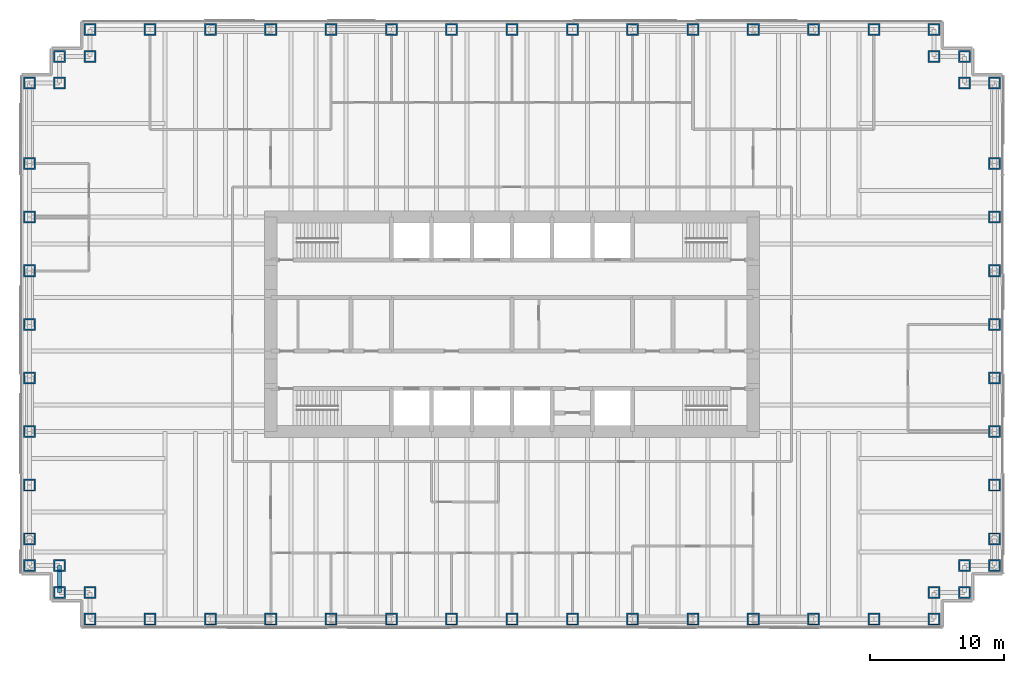
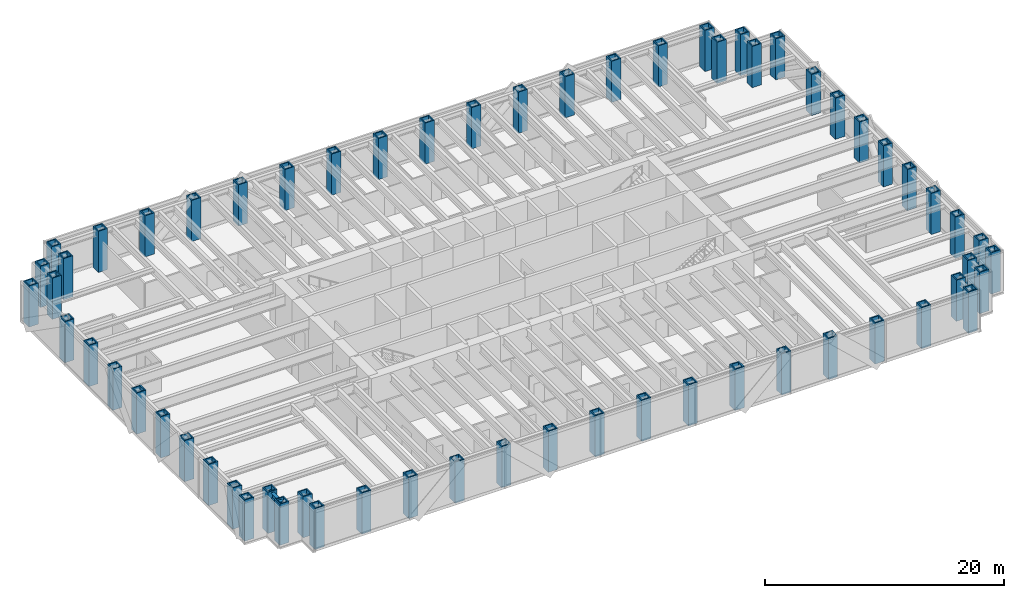
# One storey, part 1 of 15: 62 columns, 1 beam.
"""IFC4 building model written with IfcOpenShell, lengths in metres."""

from ifc_helpers import new_model, si_unit, direction, frame, origin, origin_2d, place, context, subcontext, project, spatial, hollow_rectangle, i_section, extrude, material, material_profile, profile_set, type_object, element, save


model = new_model("IFC4")

# Units and contexts
model_context = context("Model", 3, precision=1e-05, world=origin(), true_north=direction((0.0, 1.0)))
body_context = subcontext(model_context, "Body", "Model", "MODEL_VIEW")
ifc_project = project(units=[si_unit("LENGTHUNIT", "METRE"), si_unit("AREAUNIT", "SQUARE_METRE"), si_unit("VOLUMEUNIT", "CUBIC_METRE"), si_unit("PLANEANGLEUNIT", "RADIAN"), si_unit("MASSUNIT", "GRAM", prefix="KILO")], contexts=[model_context])

# Site, building, storey
site_placement = place(None, origin())
site = spatial("IfcSite", under=ifc_project, at=site_placement, CompositionType="ELEMENT")
building_placement = place(site_placement, origin())
building = spatial("IfcBuilding", under=site, at=building_placement, Name="Rheinbord Bourse Tower", CompositionType="ELEMENT")
storey_placement = place(building_placement, frame((0.0, 0.0, 104.699951171875)))
storey = spatial("IfcBuildingStorey", under=building, at=storey_placement, Name="L22", CompositionType="ELEMENT", Elevation=104.699951171875)

# Columns
ifc_material_1 = material(Name="Steel S460M", Category="steel")
ifc_material_profile_1 = material_profile(ifc_material_1, hollow_rectangle(XDim=0.89990234375, YDim=0.89990234375, WallThickness=0.110107421875, at=origin_2d()), Name="BOX 900x900x110")
ifc_profile_set_1 = profile_set([ifc_material_profile_1], Name="Steel S460M")
column_type = type_object("IfcColumnType", Name="TUBE COLUMN BOX 900x900x110", PredefinedType="COLUMN", material=ifc_profile_set_1)
for number, where, z_axis, x_axis, name in (
    (1, (4.5, 2.0, 0.0), (0.0, 0.0, 1.0), (0.0, 1.0, 0.0), "Column SW-E L22"),
    (2, (9.0, 2.0, 0.0), (0.0, 0.0, 1.0), (0.0, 1.0, 0.0), "Column S-9 L22"),
    (3, (13.5, 2.0, 0.0), (0.0, 0.0, 1.0), (0.0, 1.0, 0.0), "Column S-13.5 L22"),
    (4, (18.0, 2.0, 0.0), (0.0, 0.0, 1.0), (0.0, 1.0, 0.0), "Column S-18 L22"),
    (5, (22.5, 2.0, 0.0), (0.0, 0.0, 1.0), (0.0, 1.0, 0.0), "Column S-22.5 L22"),
    (6, (27.0, 2.0, 0.0), (0.0, 0.0, 1.0), (0.0, 1.0, 0.0), "Column S-27 L22"),
    (7, (31.5, 2.0, 0.0), (0.0, 0.0, 1.0), (0.0, 1.0, 0.0), "Column S-31.5 L22"),
    (8, (36.0, 2.0, 0.0), (0.0, 0.0, 1.0), (0.0, 1.0, 0.0), "Column S-36 L22"),
    (9, (40.5, 2.0, 0.0), (0.0, 0.0, 1.0), (0.0, 1.0, 0.0), "Column S-40.5 L22"),
    (10, (45.0, 2.0, 0.0), (0.0, 0.0, 1.0), (0.0, 1.0, 0.0), "Column S-45 L22"),
    (11, (49.5, 2.0, 0.0), (0.0, 0.0, 1.0), (0.0, 1.0, 0.0), "Column S-49.5 L22"),
    (12, (54.0, 2.0, 0.0), (0.0, 0.0, 1.0), (0.0, 1.0, 0.0), "Column S-54 L22"),
    (13, (58.5, 2.0, 0.0), (0.0, 0.0, 1.0), (0.0, 1.0, 0.0), "Column S-58.5 L22"),
    (14, (63.0, 2.0, 0.0), (0.0, 0.0, 1.0), (0.0, 1.0, 0.0), "Column S-63 L22"),
    (15, (67.5, 2.0, 0.0), (0.0, 0.0, 1.0), (0.0, 1.0, 0.0), "Column SE-E L22"),
    (16, (67.5, 4.0, 0.0), (0.0, 0.0, 1.0), (0.0, 1.0, 0.0), "Column SE-D L22"),
    (17, (69.75, 4.0, 0.0), (0.0, 0.0, 1.0), (1.0, 0.0, 0.0), "Column SE-C L22"),
    (18, (69.75, 6.0, 0.0), (0.0, 0.0, 1.0), (1.0, 0.0, 0.0), "Column SE-B L22"),
    (19, (72.0, 6.0, 0.0), (0.0, 0.0, 1.0), (1.0, 0.0, 0.0), "Column SE-A L22"),
    (20, (72.0, 8.0, 0.0), (0.0, 0.0, 1.0), (1.0, 0.0, 0.0), "Column E-8 L22"),
    (21, (72.0, 12.0, 0.0), (0.0, 0.0, 1.0), (1.0, 0.0, 0.0), "Column E-12 L22"),
    (22, (72.0, 16.0, 0.0), (0.0, 0.0, 1.0), (1.0, 0.0, 0.0), "Column E-16 L22"),
    (23, (72.0, 20.0, 0.0), (0.0, 0.0, 1.0), (1.0, 0.0, 0.0), "Column E-20 L22"),
    (24, (72.0, 24.0, 0.0), (0.0, 0.0, 1.0), (1.0, 0.0, 0.0), "Column E-24 L22"),
    (25, (72.0, 28.0, 0.0), (0.0, 0.0, 1.0), (1.0, 0.0, 0.0), "Column E-28 L22"),
    (26, (72.0, 32.0, 0.0), (0.0, 0.0, 1.0), (1.0, 0.0, 0.0), "Column E-32 L22"),
    (27, (72.0, 36.0, 0.0), (0.0, 0.0, 1.0), (1.0, 0.0, 0.0), "Column E-36 L22"),
    (28, (72.0, 42.0, 0.0), (0.0, 0.0, 1.0), (1.0, 0.0, 0.0), "Column NE-A L22"),
    (29, (69.75, 42.0, 0.0), (0.0, 0.0, 1.0), (1.0, 0.0, 0.0), "Column NE-B L22"),
    (30, (69.75, 44.0, 0.0), (0.0, 0.0, 1.0), (1.0, 0.0, 0.0), "Column NE-C L22"),
    (31, (67.5, 44.0, 0.0), (0.0, 0.0, 1.0), (0.0, 1.0, 0.0), "Column NE-D L22"),
    (32, (67.5, 46.0, 0.0), (0.0, 0.0, 1.0), (0.0, 1.0, 0.0), "Column NE-E L22"),
    (33, (63.0, 46.0, 0.0), (0.0, 0.0, 1.0), (0.0, 1.0, 0.0), "Column N-63 L22"),
    (34, (58.5, 46.0, 0.0), (0.0, 0.0, 1.0), (0.0, 1.0, 0.0), "Column N-58.5 L22"),
    (35, (54.0, 46.0, 0.0), (0.0, 0.0, 1.0), (0.0, 1.0, 0.0), "Column N-54 L22"),
    (36, (49.5, 46.0, 0.0), (0.0, 0.0, 1.0), (0.0, 1.0, 0.0), "Column N-49.5 L22"),
    (37, (45.0, 46.0, 0.0), (0.0, 0.0, 1.0), (0.0, 1.0, 0.0), "Column N-45 L22"),
    (38, (40.5, 46.0, 0.0), (0.0, 0.0, 1.0), (0.0, 1.0, 0.0), "Column N-40.5 L22"),
    (39, (36.0, 46.0, 0.0), (0.0, 0.0, 1.0), (0.0, 1.0, 0.0), "Column N-36 L22"),
    (40, (31.5, 46.0, 0.0), (0.0, 0.0, 1.0), (0.0, 1.0, 0.0), "Column N-31.5 L22"),
    (41, (27.0, 46.0, 0.0), (0.0, 0.0, 1.0), (0.0, 1.0, 0.0), "Column N-27 L22"),
    (42, (22.5, 46.0, 0.0), (0.0, 0.0, 1.0), (0.0, 1.0, 0.0), "Column N-22.5 L22"),
    (43, (18.0, 46.0, 0.0), (0.0, 0.0, 1.0), (0.0, 1.0, 0.0), "Column N-18 L22"),
    (44, (13.5, 46.0, 0.0), (0.0, 0.0, 1.0), (0.0, 1.0, 0.0), "Column N-13.5 L22"),
    (45, (9.0, 46.0, 0.0), (0.0, 0.0, 1.0), (0.0, 1.0, 0.0), "Column N-9 L22"),
    (46, (4.5, 46.0, 0.0), (0.0, 0.0, 1.0), (0.0, 1.0, 0.0), "Column NW-E L22"),
    (47, (4.5, 44.0, 0.0), (0.0, 0.0, 1.0), (0.0, 1.0, 0.0), "Column NW-D L22"),
    (48, (2.25, 44.0, 0.0), (0.0, 0.0, 1.0), (1.0, 0.0, 0.0), "Column NW-C L22"),
    (49, (2.25, 42.0, 0.0), (0.0, 0.0, 1.0), (1.0, 0.0, 0.0), "Column NW-B L22"),
    (50, (0.0, 42.0, 0.0), (0.0, 0.0, 1.0), (1.0, 0.0, 0.0), "Column NW-A L22"),
    (51, (0.0, 36.0, 0.0), (0.0, 0.0, 1.0), (1.0, 0.0, 0.0), "Column W-36 L22"),
    (52, (0.0, 32.0, 0.0), (0.0, 0.0, 1.0), (1.0, 0.0, 0.0), "Column W-32 L22"),
    (53, (0.0, 28.0, 0.0), (0.0, 0.0, 1.0), (1.0, 0.0, 0.0), "Column W-28 L22"),
    (54, (0.0, 24.0, 0.0), (0.0, 0.0, 1.0), (1.0, 0.0, 0.0), "Column W-24 L22"),
    (55, (0.0, 20.0, 0.0), (0.0, 0.0, 1.0), (1.0, 0.0, 0.0), "Column W-20 L22"),
    (56, (0.0, 16.0, 0.0), (0.0, 0.0, 1.0), (1.0, 0.0, 0.0), "Column W-16 L22"),
    (57, (0.0, 12.0, 0.0), (0.0, 0.0, 1.0), (1.0, 0.0, 0.0), "Column W-12 L22"),
    (58, (0.0, 8.0, 0.0), (0.0, 0.0, 1.0), (1.0, 0.0, 0.0), "Column W-8 L22"),
    (59, (0.0, 6.0, 0.0), (0.0, 0.0, 1.0), (1.0, 0.0, 0.0), "Column SW-A L22"),
    (60, (2.25, 6.0, 0.0), (0.0, 0.0, 1.0), (1.0, 0.0, 0.0), "Column SW-B L22"),
    (61, (2.25, 4.0, 0.0), (0.0, 0.0, 1.0), (1.0, 0.0, 0.0), "Column SW-C L22"),
    (62, (4.5, 4.0, 0.0), (0.0, 0.0, 1.0), (0.0, 1.0, 0.0), "Column SW-D L22"),
):
    element("IfcColumn", number, at=place(storey_placement, frame(where, z_axis=z_axis, x_axis=x_axis)), inside=storey, type_object=column_type, Name=name, PredefinedType="COLUMN", context=body_context, shape_type="SweptSolid", body=[
        extrude(hollow_rectangle(XDim=0.89990234375, YDim=0.89990234375, WallThickness=0.110107421875, at=origin_2d()), origin(), (0.0, 0.0, 1.0), 4.199951171875),
    ])

# Beam
ifc_material_2 = material(Name="Steel S460", Category="steel")
ifc_material_profile_2 = material_profile(ifc_material_2, i_section(OverallWidth=0.305908203125, OverallDepth=0.572021484375, WebThickness=0.02099609375, FlangeThickness=0.0400390625, at=origin_2d()), Name="HEM 550")
ifc_profile_set_2 = profile_set([ifc_material_profile_2], Name="Steel S460")
beam_type = type_object("IfcBeamType", Name="SPANDREL HEM 550", PredefinedType="SPANDREL", material=ifc_profile_set_2)
beam_placement = place(storey_placement, frame((2.25, 6.0, 3.754150390625), z_axis=(0.0, -1.0, 0.0), x_axis=(1.0, 0.0, 0.0)))
element("IfcBeam", 63, at=beam_placement, inside=storey, type_object=beam_type, Name="Spandrel SW-B-SW-C under L23", PredefinedType="SPANDREL", context=body_context, shape_type="SweptSolid", body=[
    extrude(i_section(OverallWidth=0.305908203125, OverallDepth=0.572021484375, WebThickness=0.02099609375, FlangeThickness=0.0400390625, at=origin_2d()), origin(), (0.0, 0.0, 1.0), 2.0),
])

save(model, "model.ifc")
